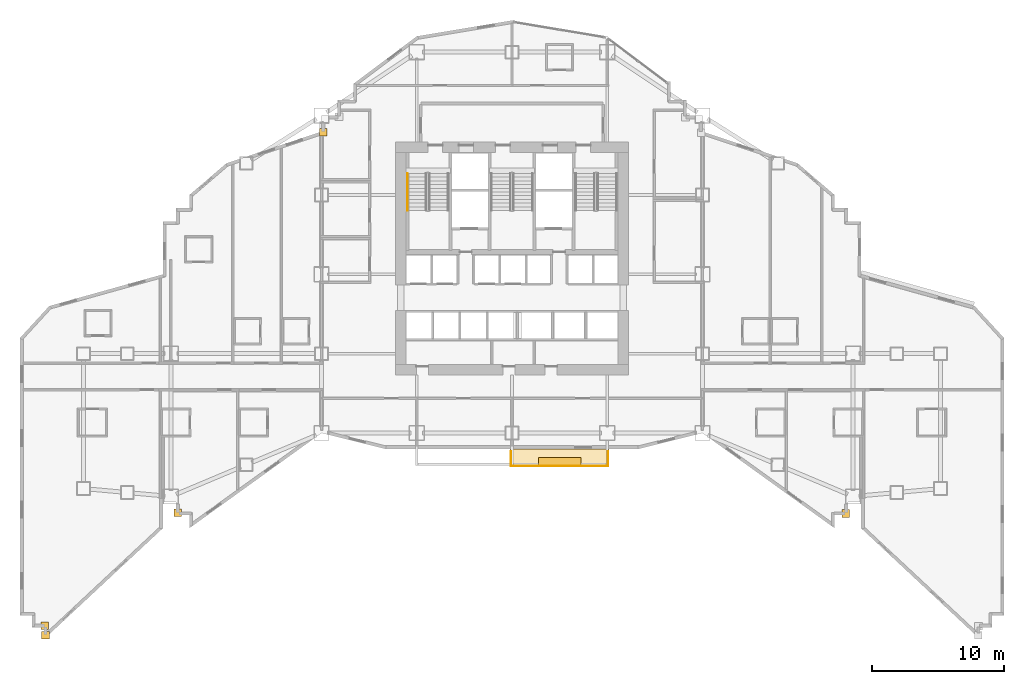
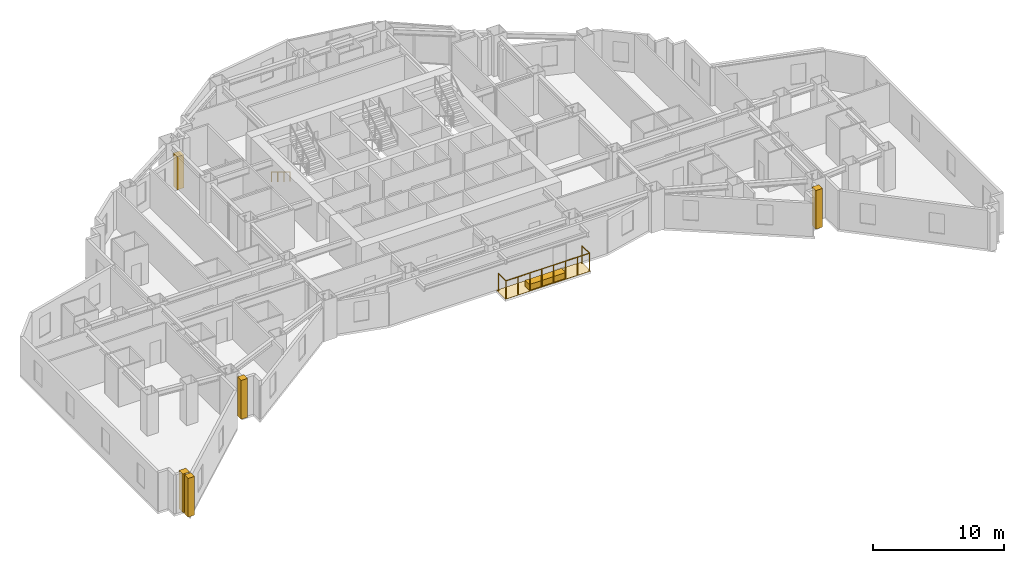
# One storey, part 13 of 15: 7 coverings, 3 railings.
"""IFC4 building model written with IfcOpenShell, lengths in metres."""

from ifc_helpers import new_model, si_unit, direction, frame, origin, origin_2d, place, context, subcontext, project, spatial, polyline, rectangle, circle, outline, extrude, material, layer, layer_set, type_object, element, save


model = new_model("IFC4")

# Units and contexts
model_context = context("Model", 3, precision=1e-05, world=origin(), true_north=direction((0.0, 1.0)))
body_context = subcontext(model_context, "Body", "Model", "MODEL_VIEW")
ifc_project = project(units=[si_unit("LENGTHUNIT", "METRE"), si_unit("AREAUNIT", "SQUARE_METRE"), si_unit("VOLUMEUNIT", "CUBIC_METRE"), si_unit("PLANEANGLEUNIT", "RADIAN"), si_unit("MASSUNIT", "GRAM", prefix="KILO")], contexts=[model_context])

# Site, building, storey
site_placement = place(None, origin())
site = spatial("IfcSite", under=ifc_project, at=site_placement, CompositionType="ELEMENT")
building_placement = place(site_placement, origin())
building = spatial("IfcBuilding", under=site, at=building_placement, Name="Haolan Belvedere Tower", CompositionType="ELEMENT")
storey_placement = place(building_placement, frame((0.0, 0.0, 70.39990234375)))
storey = spatial("IfcBuildingStorey", under=building, at=storey_placement, Name="L17", CompositionType="ELEMENT", Elevation=70.39990234375)

# Coverings
ifc_material_1 = material(Name="Pale champagne-silver anodised aluminium rainscreen cladding", Category="aluminium")
ifc_layer_1 = layer(ifc_material_1, 0.034912109375, Name="Pale champagne-silver anodised aluminium rainscreen cladding")
ifc_layer_set_1 = layer_set([ifc_layer_1], Name="Pale champagne-silver anodised aluminium rainscreen cladding")
covering_type_1 = type_object("IfcCoveringType", Name="COV-CLAD-35", PredefinedType="CLADDING", material=ifc_layer_set_1)
for number, where, z_axis, x_axis, name in (
    (1, (3.077392578125, 7.02001953125, 0.0), (0.0, 0.0, 1.0), (1.0, 0.0, 0.0), "L17 pale-metal serrated corner cladding trim 1"),
    (2, (3.1201171875, 6.318603515625, 0.0), (0.0, 0.0, 1.0), (1.0, 0.0, 0.0), "L17 pale-metal serrated corner cladding trim 2"),
    (3, (13.1201171875, 15.5625, 0.0), (0.0, 0.0, 1.0), (1.0, 0.0, 0.0), "L17 pale-metal serrated corner cladding trim 3"),
    (4, (63.637451171875, 15.52001953125, 0.0), (0.0, 0.0, 1.0), (1.0, 0.0, 0.0), "L17 pale-metal serrated corner cladding trim 4"),
):
    element("IfcCovering", number, at=place(storey_placement, frame(where, z_axis=z_axis, x_axis=x_axis)), inside=storey, type_object=covering_type_1, Name=name, PredefinedType="CLADDING", context=body_context, shape_type="SweptSolid", body=[
        extrude(rectangle(XDim=0.580078125, YDim=0.580078125, at=origin_2d()), origin(), (0.0, 0.0, 1.0), 3.60009765625),
    ])
covering_1_placement = place(storey_placement, frame((24.1201171875, 44.35595703125, 0.0), z_axis=(0.0, 0.0, 1.0), x_axis=(1.0, 0.0, 0.0)))
element("IfcCovering", 5, at=covering_1_placement, inside=storey, type_object=covering_type_1, Name="L17 pale-metal serrated corner cladding trim 10", PredefinedType="CLADDING", context=body_context, shape_type="SweptSolid", body=[
    extrude(rectangle(XDim=0.580078125, YDim=0.580078125, at=origin_2d()), origin(), (0.0, 0.0, 1.0), 3.096923828125),
])
ifc_material_2 = material(Name="Engineered lightweight planted garden soil substrate", Category="masonry")
ifc_layer_2 = layer(ifc_material_2, 0.550048828125, Name="Engineered lightweight planted garden soil substrate")
ifc_layer_set_2 = layer_set([ifc_layer_2], Name="Engineered lightweight planted garden soil substrate")
covering_type_2 = type_object("IfcCoveringType", Name="COV-PLANT-550", PredefinedType="MEMBRANE", material=ifc_layer_set_2)
covering_2_placement = place(storey_placement, frame((42.0, 19.43994140625, 0.0), z_axis=(0.0, 0.0, 1.0), x_axis=(1.0, 0.0, 0.0)))
element("IfcCovering", 6, at=covering_2_placement, inside=storey, type_object=covering_type_2, Name="L17 structural tree balcony PLANTER box 1", PredefinedType="MEMBRANE", context=body_context, shape_type="SweptSolid", body=[
    extrude(rectangle(XDim=3.199951171875, YDim=0.64990234375, at=origin_2d()), origin(), (0.0, 0.0, 1.0), 0.550048828125),
])
ifc_material_3 = material(Name="Elastomeric waterproof roofing membrane and stone pavers", Category="masonry")
ifc_layer_3 = layer(ifc_material_3, 0.02001953125, Name="Elastomeric waterproof roofing membrane and stone pavers")
ifc_layer_set_3 = layer_set([ifc_layer_3], Name="Elastomeric waterproof roofing membrane and stone pavers")
covering_type_3 = type_object("IfcCoveringType", Name="COV-ROOF-20", PredefinedType="ROOFING", material=ifc_layer_set_3)
covering_3_placement = place(storey_placement, frame((0.0, 0.0, -0.02001953125)))
element("IfcCovering", 7, at=covering_3_placement, inside=storey, type_object=covering_type_3, Name="L17 tree-balcony waterproof membrane 1", PredefinedType="ROOFING", context=body_context, shape_type="SweptSolid", body=[
    extrude(outline(polyline([(38.25, 19.02001953125), (45.75, 19.02001953125), (45.75, 20.39990234375), (38.25, 20.39990234375), (38.25, 19.02001953125)])), origin(), (0.0, 0.0, 1.0), 0.02001953125),
])

# Railings
ifc_material_4 = material(Name="Brushed stainless steel 304", Category="steel")
railing_type_1 = type_object("IfcRailingType", Name="RL-STAIR-HND-900", PredefinedType="HANDRAIL", material=ifc_material_4)
railing_1_placement = place(storey_placement, frame((30.5, 41.22998046875, 0.1728515625)))
element("IfcRailing", 8, at=railing_1_placement, inside=storey, type_object=railing_type_1, Name="L17 ST1 stair handrail 1", PredefinedType="HANDRAIL", context=body_context, shape_type="SweptSolid", body=[
    extrude(circle(Radius=0.02392578125, at=origin_2d()), frame((0.0, 0.0, 0.8759765625), z_axis=(0.0, -0.851089632645, 0.525020415988), x_axis=(1.0, 0.0, 0.0)), (0.0, 0.0, 1.0), 3.2900390625),
    extrude(circle(Radius=0.02099609375, at=origin_2d()), origin(), (0.0, 0.0, 1.0), 0.851806640625),
    extrude(circle(Radius=0.02099609375, at=origin_2d()), frame((0.0, -0.933349609375, 0.57568359375)), (0.0, 0.0, 1.0), 0.851806640625),
    extrude(circle(Radius=0.02099609375, at=origin_2d()), frame((0.0, -1.86669921875, 1.151611328125)), (0.0, 0.0, 1.0), 0.851806640625),
    extrude(circle(Radius=0.02099609375, at=origin_2d()), frame((0.0, -2.800048828125, 1.727294921875)), (0.0, 0.0, 1.0), 0.851806640625),
])
ifc_material_5 = material(Name="Anodised aluminium and laminated glass balustrade", Category="aluminium")
railing_type_2 = type_object("IfcRailingType", Name="RL-TER-BAL-1150", PredefinedType="BALUSTRADE", material=ifc_material_5)
railing_2_placement = place(storey_placement, frame((38.330078125, 19.10009765625, 0.0)))
element("IfcRailing", 9, at=railing_2_placement, inside=storey, type_object=railing_type_2, Name="L17 outdoor perimeter balustrade BAL-L17-1-1", PredefinedType="BALUSTRADE", context=body_context, shape_type="SweptSolid", body=[
    extrude(circle(Radius=0.02392578125, at=origin_2d()), frame((0.0, 0.0, 1.6259765625), z_axis=(0.0, 1.0, 0.0), x_axis=(-1.0, 0.0, 0.0)), (0.0, 0.0, 1.0), 1.119873046875),
    extrude(circle(Radius=0.02099609375, at=origin_2d()), origin(), (0.0, 0.0, 1.0), 1.601806640625),
    extrude(circle(Radius=0.02099609375, at=origin_2d()), frame((0.0, 1.119873046875, 0.0)), (0.0, 0.0, 1.0), 1.601806640625),
])
railing_3_placement = place(storey_placement, frame((45.669921875, 20.219970703125, 0.0)))
element("IfcRailing", 10, at=railing_3_placement, inside=storey, type_object=railing_type_2, Name="L17 outdoor perimeter balustrade BAL-L17-1-2", PredefinedType="BALUSTRADE", context=body_context, shape_type="SweptSolid", body=[
    extrude(circle(Radius=0.02392578125, at=origin_2d()), frame((0.0, 0.0, 1.6259765625), z_axis=(0.0, -1.0, 0.0), x_axis=(1.0, 0.0, 0.0)), (0.0, 0.0, 1.0), 1.119873046875),
    extrude(circle(Radius=0.02392578125, at=origin_2d()), frame((0.0, -1.119873046875, 1.6259765625), z_axis=(-1.0, 0.0, 0.0), x_axis=(0.0, -1.0, 0.0)), (0.0, 0.0, 1.0), 7.33984375),
    extrude(circle(Radius=0.02099609375, at=origin_2d()), origin(), (0.0, 0.0, 1.0), 1.601806640625),
    extrude(circle(Radius=0.02099609375, at=origin_2d()), frame((0.0, -1.119873046875, 0.0)), (0.0, 0.0, 1.0), 1.601806640625),
    extrude(circle(Radius=0.02099609375, at=origin_2d()), frame((-1.048583984375, -1.119873046875, 0.0)), (0.0, 0.0, 1.0), 1.601806640625),
    extrude(circle(Radius=0.02099609375, at=origin_2d()), frame((-2.09716796875, -1.119873046875, 0.0)), (0.0, 0.0, 1.0), 1.601806640625),
    extrude(circle(Radius=0.02099609375, at=origin_2d()), frame((-3.145751953125, -1.119873046875, 0.0)), (0.0, 0.0, 1.0), 1.601806640625),
    extrude(circle(Radius=0.02099609375, at=origin_2d()), frame((-4.194091796875, -1.119873046875, 0.0)), (0.0, 0.0, 1.0), 1.601806640625),
    extrude(circle(Radius=0.02099609375, at=origin_2d()), frame((-5.24267578125, -1.119873046875, 0.0)), (0.0, 0.0, 1.0), 1.601806640625),
    extrude(circle(Radius=0.02099609375, at=origin_2d()), frame((-6.291259765625, -1.119873046875, 0.0)), (0.0, 0.0, 1.0), 1.601806640625),
    extrude(circle(Radius=0.02099609375, at=origin_2d()), frame((-7.33984375, -1.119873046875, 0.0)), (0.0, 0.0, 1.0), 1.601806640625),
])

save(model, "model.ifc")
